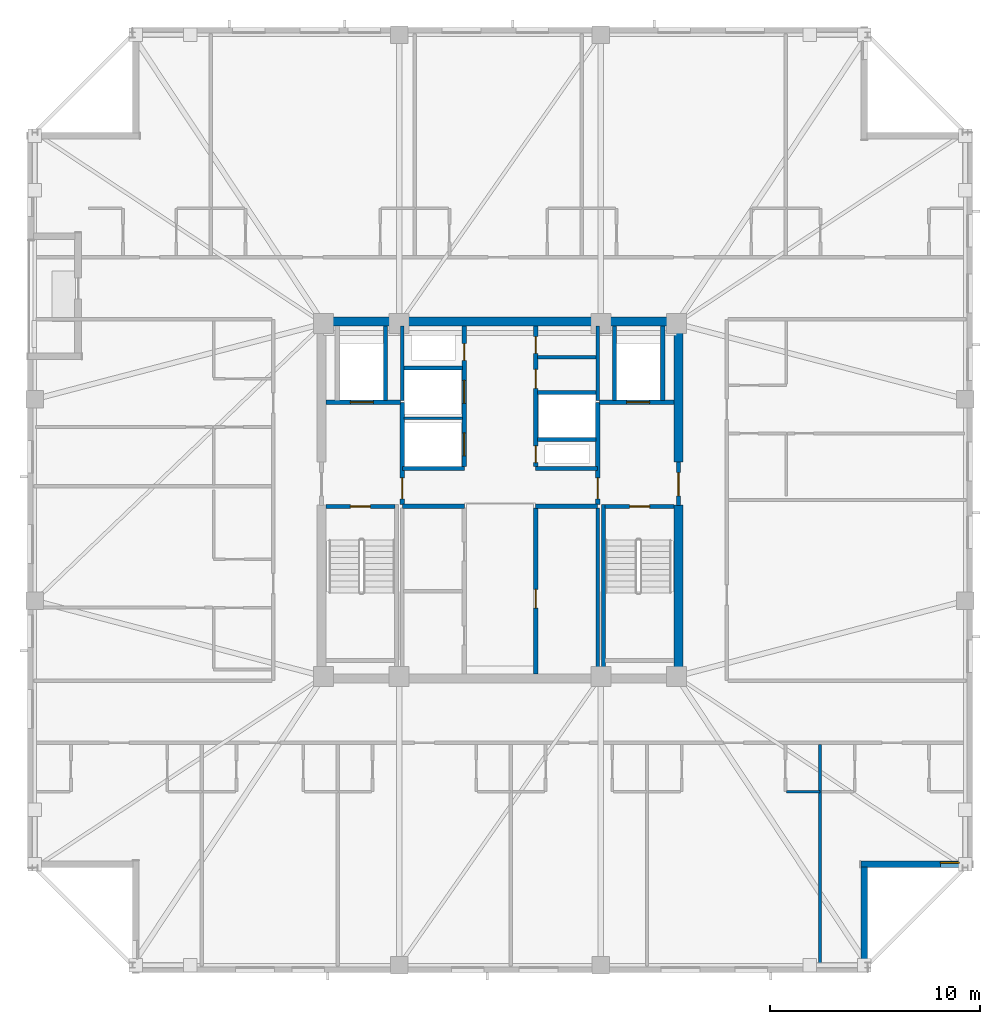
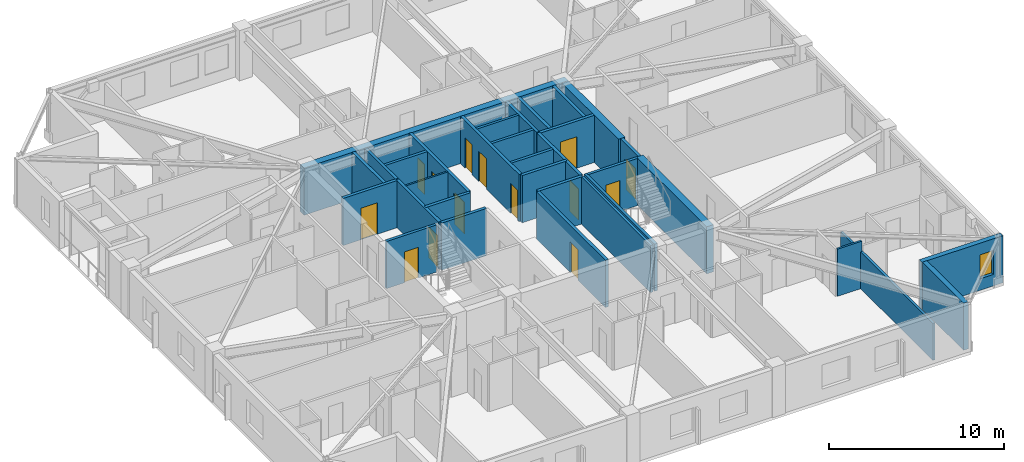
# One storey, part 9 of 17: 33 walls, 14 doors, 1 window, 15 openings.
"""IFC4 building model written with IfcOpenShell, lengths in metres."""

from ifc_helpers import new_model, si_unit, direction, frame, frame_2d, origin, place, context, subcontext, project, spatial, rectangle, extrude, material, layer, layer_set, type_object, element, fill, save


model = new_model("IFC4")

# Units and contexts
model_context = context("Model", 3, precision=1e-05, world=origin(), true_north=direction((0.0, 1.0)))
body_context = subcontext(model_context, "Body", "Model", "MODEL_VIEW")
ifc_project = project(units=[si_unit("LENGTHUNIT", "METRE"), si_unit("AREAUNIT", "SQUARE_METRE"), si_unit("VOLUMEUNIT", "CUBIC_METRE"), si_unit("PLANEANGLEUNIT", "RADIAN"), si_unit("MASSUNIT", "GRAM", prefix="KILO")], contexts=[model_context])

# Site, building, storey
site_placement = place(None, origin())
site = spatial("IfcSite", under=ifc_project, at=site_placement, CompositionType="ELEMENT")
building_placement = place(site_placement, origin())
building = spatial("IfcBuilding", under=site, at=building_placement, Name="Cairnveth Concourse Tower", CompositionType="ELEMENT")
storey_placement = place(building_placement, frame((0.0, 0.0, 234.0)))
storey = spatial("IfcBuildingStorey", under=building, at=storey_placement, Name="L64", CompositionType="ELEMENT", Elevation=234.0)

# Walls
ifc_material_1 = material(Name="Gypsum Plasterboard Partition", Category="gypsum")
ifc_layer_1 = layer(ifc_material_1, 0.159912109375)
ifc_layer_set_1 = layer_set([ifc_layer_1], Name="Gypsum Plasterboard Partition")
wall_type_1 = type_object("IfcWallType", Name="ACOUSTIC PARTY WALL 180", PredefinedType="PARTITIONING", material=ifc_layer_set_1)
wall_1_placement = place(storey_placement, frame((56.64990234375, 30.7099609375, 0.0), z_axis=(0.0, 0.0, 1.0), x_axis=(0.0, 1.0, 0.0)))
element("IfcWall", 1, at=wall_1_placement, inside=storey, type_object=wall_type_1, Name="Interior Wall IW-L64-027", PredefinedType="PARTITIONING", context=body_context, shape_type="SweptSolid", body=[
    extrude(rectangle(XDim=7.905029296875, YDim=0.159912109375, at=frame_2d((3.95263671875, 0.0))), origin(), (0.0, 0.0, 1.0), 3.2900390625),
])
wall_2_placement = place(storey_placement, frame((53.784912109375, 45.800048828125, 0.0), z_axis=(0.0, 0.0, 1.0), x_axis=(1.0, 0.0, 0.0)))
element("IfcWall", 2, at=wall_2_placement, inside=storey, type_object=wall_type_1, Name="Interior Wall IW-L64-034", PredefinedType="PARTITIONING", context=body_context, shape_type="SweptSolid", body=[
    extrude(rectangle(XDim=2.7900390625, YDim=0.159912109375, at=frame_2d((1.39501953125, 0.0))), origin(), (0.0, 0.0, 1.0), 3.2900390625),
])
wall_3_placement = place(storey_placement, frame((67.239990234375, 16.804931640625, 0.0), z_axis=(0.0, 0.0, 1.0), x_axis=(0.0, 1.0, 0.0)))
element("IfcWall", 3, at=wall_3_placement, inside=storey, type_object=wall_type_1, Name="Interior Wall IW-L64-067", PredefinedType="PARTITIONING", context=body_context, shape_type="SweptSolid", body=[
    extrude(rectangle(XDim=10.5576171875, YDim=0.159912109375, at=frame_2d((5.27880859375, 0.0))), origin(), (0.0, 0.0, 1.0), 2.572998046875),
])
ifc_material_2 = material(Name="Concrete N65 (65 MPa)", Category="concrete")
ifc_layer_2 = layer(ifc_material_2, 0.449951171875)
ifc_layer_set_2 = layer_set([ifc_layer_2], Name="Concrete N65 (65 MPa)")
wall_type_2 = type_object("IfcWallType", Name="CORE SHEAR WALL 450", PredefinedType="SHEAR", material=ifc_layer_set_2)
wall_4_placement = place(storey_placement, frame((43.27490234375, 47.5, 0.0), z_axis=(0.0, 0.0, 1.0), x_axis=(1.0, 0.0, 0.0)))
element("IfcWall", 4, at=wall_4_placement, inside=storey, type_object=wall_type_2, Name="Core North Shear Wall L64", PredefinedType="SHEAR", context=body_context, shape_type="SweptSolid", body=[
    extrude(rectangle(XDim=17.4501953125, YDim=0.449951171875, at=frame_2d((8.72509765625, 0.0))), origin(), (0.0, 0.0, 1.0), 3.2900390625),
])
wall_5_placement = place(storey_placement, frame((60.5, 30.715087890625, 0.0), z_axis=(0.0, 0.0, 1.0), x_axis=(0.0, 1.0, 0.0)))
element("IfcWall", 5, at=wall_5_placement, inside=storey, type_object=wall_type_2, Name="Core East Shear Wall S L64", PredefinedType="SHEAR", context=body_context, shape_type="SweptSolid", body=[
    extrude(rectangle(XDim=8.034912109375, YDim=0.449951171875, at=frame_2d((4.017578125, 0.0))), origin(), (0.0, 0.0, 1.0), 3.2900390625),
])
wall_6_placement = place(storey_placement, frame((60.5, 40.800048828125, 0.0), z_axis=(0.0, 0.0, 1.0), x_axis=(0.0, 1.0, 0.0)))
element("IfcWall", 6, at=wall_6_placement, inside=storey, type_object=wall_type_2, Name="Core East Shear Wall N L64", PredefinedType="SHEAR", context=body_context, shape_type="SweptSolid", body=[
    extrude(rectangle(XDim=6.48486328125, YDim=0.449951171875, at=frame_2d((3.242431640625, 0.0))), origin(), (0.0, 0.0, 1.0), 3.2900390625),
])
ifc_material_3 = material(Name="Concrete N50 (50 MPa)", Category="concrete")
ifc_layer_3 = layer(ifc_material_3, 0.179931640625)
ifc_layer_set_3 = layer_set([ifc_layer_3], Name="Concrete N50 (50 MPa)")
wall_type_3 = type_object("IfcWallType", Name="FIRE SHAFT WALL 180", PredefinedType="SOLIDWALL", material=ifc_layer_set_3)
wall_7_placement = place(storey_placement, frame((47.35009765625, 43.735107421875, 0.0), z_axis=(0.0, 0.0, 1.0), x_axis=(0.0, 1.0, 0.0)))
element("IfcWall", 7, at=wall_7_placement, inside=storey, type_object=wall_type_3, Name="Interior Wall IW-L64-028", PredefinedType="SOLIDWALL", context=body_context, shape_type="SweptSolid", body=[
    extrude(rectangle(XDim=3.554931640625, YDim=0.179931640625, at=frame_2d((1.77734375, 0.0))), origin(), (0.0, 0.0, 1.0), 3.2900390625),
])
wall_8_placement = place(storey_placement, frame((47.425048828125, 45.280029296875, 0.0), z_axis=(0.0, 0.0, 1.0), x_axis=(1.0, 0.0, 0.0)))
element("IfcWall", 8, at=wall_8_placement, inside=storey, type_object=wall_type_3, Name="Interior Wall IW-L64-030", PredefinedType="SOLIDWALL", context=body_context, shape_type="SweptSolid", body=[
    extrude(rectangle(XDim=2.7900390625, YDim=0.179931640625, at=frame_2d((1.39501953125, 0.0))), origin(), (0.0, 0.0, 1.0), 3.2900390625),
])
wall_9_placement = place(storey_placement, frame((56.64990234375, 43.735107421875, 0.0), z_axis=(0.0, 0.0, 1.0), x_axis=(0.0, 1.0, 0.0)))
element("IfcWall", 9, at=wall_9_placement, inside=storey, type_object=wall_type_3, Name="Interior Wall IW-L64-031", PredefinedType="SOLIDWALL", context=body_context, shape_type="SweptSolid", body=[
    extrude(rectangle(XDim=3.554931640625, YDim=0.179931640625, at=frame_2d((1.77734375, 0.0))), origin(), (0.0, 0.0, 1.0), 3.2900390625),
])
wall_10_placement = place(storey_placement, frame((53.784912109375, 41.8798828125, 0.0), z_axis=(0.0, 0.0, 1.0), x_axis=(1.0, 0.0, 0.0)))
element("IfcWall", 10, at=wall_10_placement, inside=storey, type_object=wall_type_3, Name="Interior Wall IW-L64-032", PredefinedType="SOLIDWALL", context=body_context, shape_type="SweptSolid", body=[
    extrude(rectangle(XDim=2.780029296875, YDim=0.179931640625, at=frame_2d((1.39013671875, 0.0))), origin(), (0.0, 0.0, 1.0), 3.2900390625),
])
wall_11_placement = place(storey_placement, frame((53.784912109375, 44.1201171875, 0.0), z_axis=(0.0, 0.0, 1.0), x_axis=(1.0, 0.0, 0.0)))
element("IfcWall", 11, at=wall_11_placement, inside=storey, type_object=wall_type_3, Name="Interior Wall IW-L64-033", PredefinedType="SOLIDWALL", context=body_context, shape_type="SweptSolid", body=[
    extrude(rectangle(XDim=2.7900390625, YDim=0.179931640625, at=frame_2d((1.39501953125, 0.0))), origin(), (0.0, 0.0, 1.0), 3.2900390625),
])

# Wall, opening, door
wall_12_placement = place(storey_placement, frame((43.715087890625, 38.68994140625, 0.0), z_axis=(0.0, 0.0, 1.0), x_axis=(1.0, 0.0, 0.0)))
wall_12 = element("IfcWall", 12, at=wall_12_placement, inside=storey, type_object=wall_type_3, Name="Stair ST-1 Shaft Wall NEAR L64", PredefinedType="SOLIDWALL", context=body_context, shape_type="SweptSolid", body=[
    extrude(rectangle(XDim=3.280029296875, YDim=0.179931640625, at=frame_2d((1.64013671875, 0.0))), origin(), (0.0, 0.0, 1.0), 3.2900390625),
])
opening_1_placement = place(wall_12_placement, frame((1.1650390625, 0.0, 0.0)))
opening_1 = element("IfcOpeningElement", 13, at=opening_1_placement, cuts=wall_12, Name="Opening ID12", PredefinedType="OPENING", context=body_context, shape_type="SweptSolid", body=[
    extrude(rectangle(XDim=0.949951171875, YDim=2.14990234375, at=frame_2d((0.47509765625, 1.074951171875))), frame((0.0, 0.099853515625, 0.0), z_axis=(0.0, -1.0, 0.0), x_axis=(1.0, 0.0, 0.0)), (0.0, 0.0, 1.0), 0.199951171875),
])
ifc_material_4 = material(Name="Steel Grade 350", Category="steel")
door_type_1 = type_object("IfcDoorType", Name="FIRE STAIR DOOR 950X2150", OperationType="NOTDEFINED", PredefinedType="DOOR", material=ifc_material_4)
door_1_placement = place(opening_1_placement, origin())
door_1 = element("IfcDoor", 14, at=door_1_placement, inside=storey, type_object=door_type_1, Name="Stair ST-1 Fire Door L64", OperationType="SINGLE_SWING_LEFT", OverallHeight=2.14990234375, OverallWidth=0.949951171875, PredefinedType="DOOR", context=body_context, shape_type="SweptSolid", body=[
    extrude(rectangle(XDim=0.949951171875, YDim=2.14990234375, at=frame_2d((0.47509765625, 1.074951171875))), frame((0.0, 0.02490234375, 0.0), z_axis=(0.0, -1.0, 0.0), x_axis=(1.0, 0.0, 0.0)), (0.0, 0.0, 1.0), 0.050048828125),
])
fill(opening_1, door_1)

wall_13_placement = place(storey_placement, frame((57.0048828125, 38.68994140625, 0.0), z_axis=(0.0, 0.0, 1.0), x_axis=(1.0, 0.0, 0.0)))
wall_13 = element("IfcWall", 15, at=wall_13_placement, inside=storey, type_object=wall_type_3, Name="Stair ST-2 Shaft Wall NEAR L64", PredefinedType="SOLIDWALL", context=body_context, shape_type="SweptSolid", body=[
    extrude(rectangle(XDim=3.280029296875, YDim=0.179931640625, at=frame_2d((1.64013671875, 0.0))), origin(), (0.0, 0.0, 1.0), 3.2900390625),
])
opening_2_placement = place(wall_13_placement, frame((1.1650390625, 0.0, 0.0)))
opening_2 = element("IfcOpeningElement", 16, at=opening_2_placement, cuts=wall_13, Name="Opening ID12", PredefinedType="OPENING", context=body_context, shape_type="SweptSolid", body=[
    extrude(rectangle(XDim=0.949951171875, YDim=2.14990234375, at=frame_2d((0.47509765625, 1.074951171875))), frame((0.0, 0.099853515625, 0.0), z_axis=(0.0, -1.0, 0.0), x_axis=(1.0, 0.0, 0.0)), (0.0, 0.0, 1.0), 0.199951171875),
])
door_2_placement = place(opening_2_placement, origin())
door_2 = element("IfcDoor", 17, at=door_2_placement, inside=storey, type_object=door_type_1, Name="Stair ST-2 Fire Door L64", OperationType="SINGLE_SWING_RIGHT", OverallHeight=2.14990234375, OverallWidth=0.949951171875, PredefinedType="DOOR", context=body_context, shape_type="SweptSolid", body=[
    extrude(rectangle(XDim=0.949951171875, YDim=2.14990234375, at=frame_2d((0.47509765625, 1.074951171875))), frame((0.0, 0.02490234375, 0.0), z_axis=(0.0, -1.0, 0.0), x_axis=(1.0, 0.0, 0.0)), (0.0, 0.0, 1.0), 0.050048828125),
])
fill(opening_2, door_2)

# Walls
wall_14_placement = place(storey_placement, frame((56.929931640625, 38.780029296875, 0.0), z_axis=(0.0, 0.0, 1.0), x_axis=(0.0, -1.0, 0.0)))
element("IfcWall", 18, at=wall_14_placement, inside=storey, type_object=wall_type_3, Name="Stair ST-2 Shaft Wall LEFT L64", PredefinedType="SOLIDWALL", context=body_context, shape_type="SweptSolid", body=[
    extrude(rectangle(XDim=8.067138671875, YDim=0.179931640625, at=frame_2d((4.03369140625, 0.0))), origin(), (0.0, 0.0, 1.0), 3.2900390625),
])
ifc_layer_4 = layer(ifc_material_3, 0.199951171875)
ifc_layer_set_4 = layer_set([ifc_layer_4], Name="Concrete N50 (50 MPa)")
wall_type_4 = type_object("IfcWallType", Name="FIRE SHAFT WALL 200", PredefinedType="SOLIDWALL", material=ifc_layer_set_4)
for number, where, z_axis, x_axis, name in (
    (19, (47.35009765625, 38.699951171875, 0.0), (0.0, 0.0, 1.0), (1.0, 0.0, 0.0), "Interior Wall IW-L64-007"),
    (20, (47.35009765625, 40.5, 0.0), (0.0, 0.0, 1.0), (1.0, 0.0, 0.0), "Interior Wall IW-L64-008"),
    (21, (53.699951171875, 38.699951171875, 0.0), (0.0, 0.0, 1.0), (1.0, 0.0, 0.0), "Interior Wall IW-L64-009"),
    (22, (53.699951171875, 40.5, 0.0), (0.0, 0.0, 1.0), (1.0, 0.0, 0.0), "Interior Wall IW-L64-010"),
):
    element("IfcWall", number, at=place(storey_placement, frame(where, z_axis=z_axis, x_axis=x_axis)), inside=storey, type_object=wall_type_4, Name=name, PredefinedType="SOLIDWALL", context=body_context, shape_type="SweptSolid", body=[
        extrude(rectangle(XDim=2.949951171875, YDim=0.199951171875, at=frame_2d((1.47509765625, 0.0))), origin(), (0.0, 0.0, 1.0), 3.2900390625),
    ])

# Wall, opening, door
wall_15_placement = place(storey_placement, frame((53.699951171875, 30.7099609375, 0.0), z_axis=(0.0, 0.0, 1.0), x_axis=(0.0, 1.0, 0.0)))
wall_15 = element("IfcWall", 23, at=wall_15_placement, inside=storey, type_object=wall_type_4, Name="Interior Wall IW-L64-012", PredefinedType="SOLIDWALL", context=body_context, shape_type="SweptSolid", body=[
    extrude(rectangle(XDim=7.905029296875, YDim=0.199951171875, at=frame_2d((3.95263671875, 0.0))), origin(), (0.0, 0.0, 1.0), 3.2900390625),
])
opening_3_placement = place(wall_15_placement, frame((3.139892578125, 0.0, 0.0)))
opening_3 = element("IfcOpeningElement", 24, at=opening_3_placement, cuts=wall_15, Name="Opening ID16", PredefinedType="OPENING", context=body_context, shape_type="SweptSolid", body=[
    extrude(rectangle(XDim=0.89990234375, YDim=2.1201171875, at=frame_2d((0.449951171875, 1.06005859375))), frame((0.0, 0.10986328125, 0.0), z_axis=(0.0, -1.0, 0.0), x_axis=(1.0, 0.0, 0.0)), (0.0, 0.0, 1.0), 0.219970703125),
])
door_type_2 = type_object("IfcDoorType", Name="CORE SERVICE DOOR 900X2100", OperationType="NOTDEFINED", PredefinedType="DOOR", material=ifc_material_4)
door_3_placement = place(opening_3_placement, origin())
door_3 = element("IfcDoor", 25, at=door_3_placement, inside=storey, type_object=door_type_2, Name="Sky Pantry Door L64", OperationType="SINGLE_SWING_LEFT", OverallHeight=2.1201171875, OverallWidth=0.89990234375, PredefinedType="DOOR", context=body_context, shape_type="SweptSolid", body=[
    extrude(rectangle(XDim=0.89990234375, YDim=2.1201171875, at=frame_2d((0.449951171875, 1.06005859375))), frame((0.0, 0.02490234375, 0.0), z_axis=(0.0, -1.0, 0.0), x_axis=(1.0, 0.0, 0.0)), (0.0, 0.0, 1.0), 0.050048828125),
])
fill(opening_3, door_3)

# Wall, openings, doors
wall_16_placement = place(storey_placement, frame((50.300048828125, 40.5849609375, 0.0), z_axis=(0.0, 0.0, 1.0), x_axis=(0.0, 1.0, 0.0)))
wall_16 = element("IfcWall", 26, at=wall_16_placement, inside=storey, type_object=wall_type_4, Name="Interior Wall IW-L64-013", PredefinedType="SOLIDWALL", context=body_context, shape_type="SweptSolid", body=[
    extrude(rectangle(XDim=6.705078125, YDim=0.199951171875, at=frame_2d((3.3525390625, 0.0))), origin(), (0.0, 0.0, 1.0), 3.2900390625),
])
opening_4_placement = place(wall_16_placement, frame((0.514892578125, 0.0, 0.0)))
opening_4 = element("IfcOpeningElement", 27, at=opening_4_placement, cuts=wall_16, Name="Opening LD-1", PredefinedType="OPENING", context=body_context, shape_type="SweptSolid", body=[
    extrude(rectangle(XDim=1.10009765625, YDim=2.199951171875, at=frame_2d((0.550048828125, 1.10009765625))), frame((0.0, 0.10986328125, 0.0), z_axis=(0.0, -1.0, 0.0), x_axis=(1.0, 0.0, 0.0)), (0.0, 0.0, 1.0), 0.219970703125),
])
opening_5_placement = place(wall_16_placement, frame((3.014892578125, 0.0, 0.0)))
opening_5 = element("IfcOpeningElement", 28, at=opening_5_placement, cuts=wall_16, Name="Opening LD-1", PredefinedType="OPENING", context=body_context, shape_type="SweptSolid", body=[
    extrude(rectangle(XDim=1.10009765625, YDim=2.199951171875, at=frame_2d((0.550048828125, 1.10009765625))), frame((0.0, 0.10986328125, 0.0), z_axis=(0.0, -1.0, 0.0), x_axis=(1.0, 0.0, 0.0)), (0.0, 0.0, 1.0), 0.219970703125),
])
opening_6_placement = place(wall_16_placement, frame((5.06494140625, 0.0, 0.0)))
opening_6 = element("IfcOpeningElement", 29, at=opening_6_placement, cuts=wall_16, Name="Opening ID24", PredefinedType="OPENING", context=body_context, shape_type="SweptSolid", body=[
    extrude(rectangle(XDim=0.800048828125, YDim=2.080078125, at=frame_2d((0.39990234375, 1.0400390625))), frame((0.0, 0.10986328125, 0.0), z_axis=(0.0, -1.0, 0.0), x_axis=(1.0, 0.0, 0.0)), (0.0, 0.0, 1.0), 0.219970703125),
])
ifc_material_5 = material(Name="Architectural Bronze Anodised Aluminium 6063-T6", Category="aluminium")
door_type_3 = type_object("IfcDoorType", Name="LIFT LANDING DOOR 1100X2200", OperationType="SLIDING_TO_LEFT", PredefinedType="DOOR", material=ifc_material_5)
door_4_placement = place(opening_4_placement, origin())
door_4 = element("IfcDoor", 30, at=door_4_placement, inside=storey, type_object=door_type_3, Name="Lift PL7 Landing Door L64", OperationType="SLIDING_TO_LEFT", OverallHeight=2.199951171875, OverallWidth=1.10009765625, PredefinedType="DOOR", context=body_context, shape_type="SweptSolid", body=[
    extrude(rectangle(XDim=1.10009765625, YDim=2.199951171875, at=frame_2d((0.550048828125, 1.10009765625))), frame((0.0, 0.02490234375, 0.0), z_axis=(0.0, -1.0, 0.0), x_axis=(1.0, 0.0, 0.0)), (0.0, 0.0, 1.0), 0.050048828125),
])
fill(opening_4, door_4)
door_5_placement = place(opening_5_placement, origin())
door_5 = element("IfcDoor", 31, at=door_5_placement, inside=storey, type_object=door_type_3, Name="Lift PL8 Landing Door L64", OperationType="SLIDING_TO_LEFT", OverallHeight=2.199951171875, OverallWidth=1.10009765625, PredefinedType="DOOR", context=body_context, shape_type="SweptSolid", body=[
    extrude(rectangle(XDim=1.10009765625, YDim=2.199951171875, at=frame_2d((0.550048828125, 1.10009765625))), frame((0.0, 0.02490234375, 0.0), z_axis=(0.0, -1.0, 0.0), x_axis=(1.0, 0.0, 0.0)), (0.0, 0.0, 1.0), 0.050048828125),
])
fill(opening_5, door_5)
door_type_4 = type_object("IfcDoorType", Name="RISER ACCESS DOOR 800X2100", OperationType="NOTDEFINED", PredefinedType="DOOR", material=ifc_material_4)
door_6_placement = place(opening_6_placement, origin())
door_6 = element("IfcDoor", 32, at=door_6_placement, inside=storey, type_object=door_type_4, Name="NW Electrical Riser Access Door L64", OperationType="SINGLE_SWING_RIGHT", OverallHeight=2.080078125, OverallWidth=0.800048828125, PredefinedType="DOOR", context=body_context, shape_type="SweptSolid", body=[
    extrude(rectangle(XDim=0.800048828125, YDim=2.080078125, at=frame_2d((0.39990234375, 1.0400390625))), frame((0.0, 0.02490234375, 0.0), z_axis=(0.0, -1.0, 0.0), x_axis=(1.0, 0.0, 0.0)), (0.0, 0.0, 1.0), 0.050048828125),
])
fill(opening_6, door_6)

wall_17_placement = place(storey_placement, frame((53.699951171875, 40.5849609375, 0.0), z_axis=(0.0, 0.0, 1.0), x_axis=(0.0, 1.0, 0.0)))
wall_17 = element("IfcWall", 33, at=wall_17_placement, inside=storey, type_object=wall_type_4, Name="Interior Wall IW-L64-014", PredefinedType="SOLIDWALL", context=body_context, shape_type="SweptSolid", body=[
    extrude(rectangle(XDim=6.705078125, YDim=0.199951171875, at=frame_2d((3.3525390625, 0.0))), origin(), (0.0, 0.0, 1.0), 3.2900390625),
])
opening_7_placement = place(wall_17_placement, frame((0.195068359375, 0.0, 0.0)))
opening_7 = element("IfcOpeningElement", 34, at=opening_7_placement, cuts=wall_17, Name="Opening ID24", PredefinedType="OPENING", context=body_context, shape_type="SweptSolid", body=[
    extrude(rectangle(XDim=0.800048828125, YDim=2.080078125, at=frame_2d((0.39990234375, 1.0400390625))), frame((0.0, 0.10986328125, 0.0), z_axis=(0.0, -1.0, 0.0), x_axis=(1.0, 0.0, 0.0)), (0.0, 0.0, 1.0), 0.219970703125),
])
opening_8_placement = place(wall_17_placement, frame((3.735107421875, 0.0, 0.0)))
opening_8 = element("IfcOpeningElement", 35, at=opening_8_placement, cuts=wall_17, Name="Opening ID26", PredefinedType="OPENING", context=body_context, shape_type="SweptSolid", body=[
    extrude(rectangle(XDim=0.89990234375, YDim=2.1201171875, at=frame_2d((0.449951171875, 1.06005859375))), frame((0.0, 0.10986328125, 0.0), z_axis=(0.0, -1.0, 0.0), x_axis=(1.0, 0.0, 0.0)), (0.0, 0.0, 1.0), 0.219970703125),
])
opening_9_placement = place(wall_17_placement, frame((5.39501953125, 0.0, 0.0)))
opening_9 = element("IfcOpeningElement", 36, at=opening_9_placement, cuts=wall_17, Name="Opening ID23", PredefinedType="OPENING", context=body_context, shape_type="SweptSolid", body=[
    extrude(rectangle(XDim=0.800048828125, YDim=2.10009765625, at=frame_2d((0.39990234375, 1.050048828125))), frame((0.0, 0.10986328125, 0.0), z_axis=(0.0, -1.0, 0.0), x_axis=(1.0, 0.0, 0.0)), (0.0, 0.0, 1.0), 0.219970703125),
])
door_type_5 = type_object("IfcDoorType", Name="CORE SERVICE DOOR 800X2100", OperationType="NOTDEFINED", PredefinedType="DOOR", material=ifc_material_4)
door_7_placement = place(opening_9_placement, origin())
door_7 = element("IfcDoor", 37, at=door_7_placement, inside=storey, type_object=door_type_5, Name="Core NE Cleaners Door L64", OperationType="SINGLE_SWING_LEFT", OverallHeight=2.10009765625, OverallWidth=0.800048828125, PredefinedType="DOOR", context=body_context, shape_type="SweptSolid", body=[
    extrude(rectangle(XDim=0.800048828125, YDim=2.10009765625, at=frame_2d((0.39990234375, 1.050048828125))), frame((0.0, 0.02490234375, 0.0), z_axis=(0.0, -1.0, 0.0), x_axis=(1.0, 0.0, 0.0)), (0.0, 0.0, 1.0), 0.050048828125),
])
fill(opening_9, door_7)
door_type_6 = type_object("IfcDoorType", Name="CORE TOILET FIRE DOOR 900X2120", OperationType="NOTDEFINED", PredefinedType="DOOR", material=ifc_material_4)
door_8_placement = place(opening_8_placement, origin())
door_8 = element("IfcDoor", 38, at=door_8_placement, inside=storey, type_object=door_type_6, Name="Core NE Unisex WC Door L64", OperationType="SINGLE_SWING_RIGHT", OverallHeight=2.1201171875, OverallWidth=0.89990234375, PredefinedType="DOOR", context=body_context, shape_type="SweptSolid", body=[
    extrude(rectangle(XDim=0.89990234375, YDim=2.1201171875, at=frame_2d((0.449951171875, 1.06005859375))), frame((0.0, 0.02490234375, 0.0), z_axis=(0.0, -1.0, 0.0), x_axis=(1.0, 0.0, 0.0)), (0.0, 0.0, 1.0), 0.050048828125),
])
fill(opening_8, door_8)
door_9_placement = place(opening_7_placement, origin())
door_9 = element("IfcDoor", 39, at=door_9_placement, inside=storey, type_object=door_type_4, Name="Hydraulic Riser Door L64", OperationType="SINGLE_SWING_LEFT", OverallHeight=2.080078125, OverallWidth=0.800048828125, PredefinedType="DOOR", context=body_context, shape_type="SweptSolid", body=[
    extrude(rectangle(XDim=0.800048828125, YDim=2.080078125, at=frame_2d((0.39990234375, 1.0400390625))), frame((0.0, 0.02490234375, 0.0), z_axis=(0.0, -1.0, 0.0), x_axis=(1.0, 0.0, 0.0)), (0.0, 0.0, 1.0), 0.050048828125),
])
fill(opening_7, door_9)

# Wall, opening, door
wall_18_placement = place(storey_placement, frame((47.35009765625, 38.784912109375, 0.0), z_axis=(0.0, 0.0, 1.0), x_axis=(0.0, 1.0, 0.0)))
wall_18 = element("IfcWall", 40, at=wall_18_placement, inside=storey, type_object=wall_type_4, Name="Interior Wall IW-L64-016", PredefinedType="SOLIDWALL", context=body_context, shape_type="SweptSolid", body=[
    extrude(rectangle(XDim=4.864990234375, YDim=0.199951171875, at=frame_2d((2.4326171875, 0.0))), origin(), (0.0, 0.0, 1.0), 3.2900390625),
])
opening_10_placement = place(wall_18_placement, frame((0.264892578125, 0.0, 0.0)))
opening_10 = element("IfcOpeningElement", 41, at=opening_10_placement, cuts=wall_18, Name="Opening ID07", PredefinedType="OPENING", context=body_context, shape_type="SweptSolid", body=[
    extrude(rectangle(XDim=1.0, YDim=2.14990234375, at=frame_2d((0.5, 1.074951171875))), frame((0.0, 0.10986328125, 0.0), z_axis=(0.0, -1.0, 0.0), x_axis=(1.0, 0.0, 0.0)), (0.0, 0.0, 1.0), 0.219970703125),
])
door_type_7 = type_object("IfcDoorType", Name="FIRE CORRIDOR DOOR 1000X2150", OperationType="NOTDEFINED", PredefinedType="DOOR", material=ifc_material_4)
door_10_placement = place(opening_10_placement, origin())
door_10 = element("IfcDoor", 42, at=door_10_placement, inside=storey, type_object=door_type_7, Name="FF Lobby West to Lift Lobby Door L64", OperationType="SINGLE_SWING_RIGHT", OverallHeight=2.14990234375, OverallWidth=1.0, PredefinedType="DOOR", context=body_context, shape_type="SweptSolid", body=[
    extrude(rectangle(XDim=1.0, YDim=2.14990234375, at=frame_2d((0.5, 1.074951171875))), frame((0.0, 0.02490234375, 0.0), z_axis=(0.0, -1.0, 0.0), x_axis=(1.0, 0.0, 0.0)), (0.0, 0.0, 1.0), 0.050048828125),
])
fill(opening_10, door_10)

wall_19_placement = place(storey_placement, frame((43.7099609375, 43.64990234375, 0.0), z_axis=(0.0, 0.0, 1.0), x_axis=(1.0, 0.0, 0.0)))
wall_19 = element("IfcWall", 43, at=wall_19_placement, inside=storey, type_object=wall_type_4, Name="Interior Wall IW-L64-017", PredefinedType="SOLIDWALL", context=body_context, shape_type="SweptSolid", body=[
    extrude(rectangle(XDim=3.554931640625, YDim=0.199951171875, at=frame_2d((1.77734375, 0.0))), origin(), (0.0, 0.0, 1.0), 3.2900390625),
])
opening_11_placement = place(wall_19_placement, frame((1.159912109375, 0.0, 0.0)))
opening_11 = element("IfcOpeningElement", 44, at=opening_11_placement, cuts=wall_19, Name="Opening LD-1", PredefinedType="OPENING", context=body_context, shape_type="SweptSolid", body=[
    extrude(rectangle(XDim=1.10009765625, YDim=2.199951171875, at=frame_2d((0.550048828125, 1.10009765625))), frame((0.0, 0.10986328125, 0.0), z_axis=(0.0, -1.0, 0.0), x_axis=(1.0, 0.0, 0.0)), (0.0, 0.0, 1.0), 0.219970703125),
])
door_11_placement = place(opening_11_placement, origin())
door_11 = element("IfcDoor", 45, at=door_11_placement, inside=storey, type_object=door_type_3, Name="Lift FFL1 Landing Door L64", OperationType="SLIDING_TO_LEFT", OverallHeight=2.199951171875, OverallWidth=1.10009765625, PredefinedType="DOOR", context=body_context, shape_type="SweptSolid", body=[
    extrude(rectangle(XDim=1.10009765625, YDim=2.199951171875, at=frame_2d((0.550048828125, 1.10009765625))), frame((0.0, 0.02490234375, 0.0), z_axis=(0.0, -1.0, 0.0), x_axis=(1.0, 0.0, 0.0)), (0.0, 0.0, 1.0), 0.050048828125),
])
fill(opening_11, door_11)

# Wall
wall_20_placement = place(storey_placement, frame((46.550048828125, 43.735107421875, 0.0), z_axis=(0.0, 0.0, 1.0), x_axis=(0.0, 1.0, 0.0)))
element("IfcWall", 46, at=wall_20_placement, inside=storey, type_object=wall_type_4, Name="Interior Wall IW-L64-018", PredefinedType="SOLIDWALL", context=body_context, shape_type="SweptSolid", body=[
    extrude(rectangle(XDim=3.554931640625, YDim=0.199951171875, at=frame_2d((1.77734375, 0.0))), origin(), (0.0, 0.0, 1.0), 3.2900390625),
])

# Wall, opening, door
wall_21_placement = place(storey_placement, frame((60.5, 38.75, 0.0), z_axis=(0.0, 0.0, 1.0), x_axis=(0.0, 1.0, 0.0)))
wall_21 = element("IfcWall", 47, at=wall_21_placement, inside=storey, type_object=wall_type_4, Name="Interior Wall IW-L64-020", PredefinedType="SOLIDWALL", context=body_context, shape_type="SweptSolid", body=[
    extrude(rectangle(XDim=2.050048828125, YDim=0.199951171875, at=frame_2d((1.02490234375, 0.0))), origin(), (0.0, 0.0, 1.0), 3.2900390625),
])
opening_12_placement = place(wall_21_placement, frame((0.449951171875, 0.0, 0.0)))
opening_12 = element("IfcOpeningElement", 48, at=opening_12_placement, cuts=wall_21, Name="Opening ID06", PredefinedType="OPENING", context=body_context, shape_type="SweptSolid", body=[
    extrude(rectangle(XDim=1.10009765625, YDim=2.14990234375, at=frame_2d((0.550048828125, 1.074951171875))), frame((0.0, 0.10986328125, 0.0), z_axis=(0.0, -1.0, 0.0), x_axis=(1.0, 0.0, 0.0)), (0.0, 0.0, 1.0), 0.219970703125),
])
door_type_8 = type_object("IfcDoorType", Name="FIRE CORRIDOR DOOR 1100X2150", OperationType="NOTDEFINED", PredefinedType="DOOR", material=ifc_material_4)
door_12_placement = place(opening_12_placement, origin())
door_12 = element("IfcDoor", 49, at=door_12_placement, inside=storey, type_object=door_type_8, Name="East Wing to FF Lobby Door L64", OperationType="SINGLE_SWING_RIGHT", OverallHeight=2.14990234375, OverallWidth=1.10009765625, PredefinedType="DOOR", context=body_context, shape_type="SweptSolid", body=[
    extrude(rectangle(XDim=1.10009765625, YDim=2.14990234375, at=frame_2d((0.550048828125, 1.074951171875))), frame((0.0, 0.02490234375, 0.0), z_axis=(0.0, -1.0, 0.0), x_axis=(1.0, 0.0, 0.0)), (0.0, 0.0, 1.0), 0.050048828125),
])
fill(opening_12, door_12)

wall_22_placement = place(storey_placement, frame((56.64990234375, 38.784912109375, 0.0), z_axis=(0.0, 0.0, 1.0), x_axis=(0.0, 1.0, 0.0)))
wall_22 = element("IfcWall", 50, at=wall_22_placement, inside=storey, type_object=wall_type_4, Name="Interior Wall IW-L64-021", PredefinedType="SOLIDWALL", context=body_context, shape_type="SweptSolid", body=[
    extrude(rectangle(XDim=4.864990234375, YDim=0.199951171875, at=frame_2d((2.4326171875, 0.0))), origin(), (0.0, 0.0, 1.0), 3.2900390625),
])
opening_13_placement = place(wall_22_placement, frame((0.264892578125, 0.0, 0.0)))
opening_13 = element("IfcOpeningElement", 51, at=opening_13_placement, cuts=wall_22, Name="Opening ID07", PredefinedType="OPENING", context=body_context, shape_type="SweptSolid", body=[
    extrude(rectangle(XDim=1.0, YDim=2.14990234375, at=frame_2d((0.5, 1.074951171875))), frame((0.0, 0.10986328125, 0.0), z_axis=(0.0, -1.0, 0.0), x_axis=(1.0, 0.0, 0.0)), (0.0, 0.0, 1.0), 0.219970703125),
])
door_13_placement = place(opening_13_placement, origin())
door_13 = element("IfcDoor", 52, at=door_13_placement, inside=storey, type_object=door_type_7, Name="FF Lobby East to Lift Lobby Door L64", OperationType="SINGLE_SWING_LEFT", OverallHeight=2.14990234375, OverallWidth=1.0, PredefinedType="DOOR", context=body_context, shape_type="SweptSolid", body=[
    extrude(rectangle(XDim=1.0, YDim=2.14990234375, at=frame_2d((0.5, 1.074951171875))), frame((0.0, 0.02490234375, 0.0), z_axis=(0.0, -1.0, 0.0), x_axis=(1.0, 0.0, 0.0)), (0.0, 0.0, 1.0), 0.050048828125),
])
fill(opening_13, door_13)

wall_23_placement = place(storey_placement, frame((56.735107421875, 43.64990234375, 0.0), z_axis=(0.0, 0.0, 1.0), x_axis=(1.0, 0.0, 0.0)))
wall_23 = element("IfcWall", 53, at=wall_23_placement, inside=storey, type_object=wall_type_4, Name="Interior Wall IW-L64-022", PredefinedType="SOLIDWALL", context=body_context, shape_type="SweptSolid", body=[
    extrude(rectangle(XDim=3.554931640625, YDim=0.199951171875, at=frame_2d((1.77734375, 0.0))), origin(), (0.0, 0.0, 1.0), 3.2900390625),
])
opening_14_placement = place(wall_23_placement, frame((1.294921875, 0.0, 0.0)))
opening_14 = element("IfcOpeningElement", 54, at=opening_14_placement, cuts=wall_23, Name="Opening LD-1", PredefinedType="OPENING", context=body_context, shape_type="SweptSolid", body=[
    extrude(rectangle(XDim=1.10009765625, YDim=2.199951171875, at=frame_2d((0.550048828125, 1.10009765625))), frame((0.0, 0.10986328125, 0.0), z_axis=(0.0, -1.0, 0.0), x_axis=(1.0, 0.0, 0.0)), (0.0, 0.0, 1.0), 0.219970703125),
])
door_14_placement = place(opening_14_placement, origin())
door_14 = element("IfcDoor", 55, at=door_14_placement, inside=storey, type_object=door_type_3, Name="Lift FFL2 Landing Door L64", OperationType="SLIDING_TO_LEFT", OverallHeight=2.199951171875, OverallWidth=1.10009765625, PredefinedType="DOOR", context=body_context, shape_type="SweptSolid", body=[
    extrude(rectangle(XDim=1.10009765625, YDim=2.199951171875, at=frame_2d((0.550048828125, 1.10009765625))), frame((0.0, 0.02490234375, 0.0), z_axis=(0.0, -1.0, 0.0), x_axis=(1.0, 0.0, 0.0)), (0.0, 0.0, 1.0), 0.050048828125),
])
fill(opening_14, door_14)

# Walls
for number, where, z_axis, x_axis, name in (
    (56, (57.449951171875, 43.735107421875, 0.0), (0.0, 0.0, 1.0), (0.0, 1.0, 0.0), "Interior Wall IW-L64-023"),
    (57, (59.75, 43.735107421875, 0.0), (0.0, 0.0, 1.0), (0.0, 1.0, 0.0), "Interior Wall IW-L64-024"),
):
    element("IfcWall", number, at=place(storey_placement, frame(where, z_axis=z_axis, x_axis=x_axis)), inside=storey, type_object=wall_type_4, Name=name, PredefinedType="SOLIDWALL", context=body_context, shape_type="SweptSolid", body=[
        extrude(rectangle(XDim=3.554931640625, YDim=0.199951171875, at=frame_2d((1.77734375, 0.0))), origin(), (0.0, 0.0, 1.0), 3.2900390625),
    ])
ifc_layer_5 = layer(ifc_material_1, 0.110107421875)
ifc_layer_set_5 = layer_set([ifc_layer_5], Name="Gypsum Plasterboard Partition")
wall_type_5 = type_object("IfcWallType", Name="SHAFT DIVIDER WALL 140", PredefinedType="PARTITIONING", material=ifc_layer_set_5)
wall_24_placement = place(storey_placement, frame((47.43505859375, 42.89990234375, 0.0), z_axis=(0.0, 0.0, 1.0), x_axis=(1.0, 0.0, 0.0)))
element("IfcWall", 58, at=wall_24_placement, inside=storey, type_object=wall_type_5, Name="Interior Wall IW-L64-029", PredefinedType="PARTITIONING", context=body_context, shape_type="SweptSolid", body=[
    extrude(rectangle(XDim=2.780029296875, YDim=0.110107421875, at=frame_2d((1.39013671875, 0.0))), origin(), (0.0, 0.0, 1.0), 3.2900390625),
])
ifc_layer_6 = layer(ifc_material_1, 0.1298828125)
ifc_layer_set_6 = layer_set([ifc_layer_6], Name="Gypsum Plasterboard Partition")
wall_type_6 = type_object("IfcWallType", Name="WET AREA PARTITION 140", PredefinedType="PLUMBINGWALL", material=ifc_layer_set_6)
wall_25_placement = place(storey_placement, frame((65.639892578125, 25.112548828125, 0.0), z_axis=(0.0, 0.0, 1.0), x_axis=(1.0, 0.0, 0.0)))
element("IfcWall", 59, at=wall_25_placement, inside=storey, type_object=wall_type_6, Name="Interior Wall IW-L64-066", PredefinedType="PLUMBINGWALL", context=body_context, shape_type="SweptSolid", body=[
    extrude(rectangle(XDim=1.60009765625, YDim=0.1298828125, at=frame_2d((0.800048828125, 0.0))), origin(), (0.0, 0.0, 1.0), 3.2900390625),
])

# Wall, opening, window
ifc_material_6 = material(Name="Melbourne Buff Fired Clay Brick Masonry", Category="masonry")
ifc_layer_7 = layer(ifc_material_6, 0.320068359375)
ifc_layer_set_7 = layer_set([ifc_layer_7], Name="Melbourne Buff Fired Clay Brick Masonry")
wall_type_7 = type_object("IfcWallType", Name="ZONE 3 BRICK PIER SPANDREL WALL 320", PredefinedType="SOLIDWALL", material=ifc_layer_set_7)
wall_26_placement = place(storey_placement, frame((74.5, 21.659912109375, 0.0), z_axis=(0.0, 0.0, 1.0), x_axis=(-1.0, 0.0, 0.0)))
wall_26 = element("IfcWall", 60, at=wall_26_placement, inside=storey, type_object=wall_type_7, Name="Exterior Wall EW-L64-S07", PredefinedType="SOLIDWALL", context=body_context, shape_type="SweptSolid", body=[
    extrude(rectangle(XDim=5.320068359375, YDim=0.320068359375, at=frame_2d((2.66015625, 0.0))), origin(), (0.0, 0.0, 1.0), 3.2900390625),
])
opening_15_placement = place(wall_26_placement, frame((0.6298828125, 0.0, 0.800048828125)))
opening_15 = element("IfcOpeningElement", 61, at=opening_15_placement, cuts=wall_26, Name="Opening W13", PredefinedType="OPENING", context=body_context, shape_type="SweptSolid", body=[
    extrude(rectangle(XDim=0.89990234375, YDim=1.677978515625, at=frame_2d((0.449951171875, 0.8388671875))), frame((0.0, 0.169921875, 0.0), z_axis=(0.0, -1.0, 0.0), x_axis=(1.0, 0.0, 0.0)), (0.0, 0.0, 1.0), 0.340087890625),
])
ifc_material_7 = material(Name="Double Glazed Low-E Clear Glass", Category="glass")
window_type = type_object("IfcWindowType", Name="DEEP-SET BEDROOM LANCET WINDOW 900X1750", PartitioningType="DOUBLE_PANEL_VERTICAL", PredefinedType="WINDOW", material=ifc_material_7)
window_placement = place(opening_15_placement, origin())
window = element("IfcWindow", 62, at=window_placement, inside=storey, type_object=window_type, Name="Dwelling Lancet Window L64-DW2", OverallHeight=1.677978515625, OverallWidth=0.89990234375, PartitioningType="SINGLE_PANEL", PredefinedType="WINDOW", context=body_context, shape_type="SweptSolid", body=[
    extrude(rectangle(XDim=0.89990234375, YDim=1.677978515625, at=frame_2d((0.449951171875, 0.8388671875))), frame((0.0, -0.0400390625, 0.0), z_axis=(0.0, -1.0, 0.0), x_axis=(1.0, 0.0, 0.0)), (0.0, 0.0, 1.0), 0.06005859375),
])
fill(opening_15, window)

# Wall
wall_27_placement = place(storey_placement, frame((69.340087890625, 21.52197265625, 0.0), z_axis=(0.0, 0.0, 1.0), x_axis=(0.0, -1.0, 0.0)))
element("IfcWall", 63, at=wall_27_placement, inside=storey, type_object=wall_type_7, Name="Exterior Wall EW-L64-S08", PredefinedType="SOLIDWALL", context=body_context, shape_type="SweptSolid", body=[
    extrude(rectangle(XDim=4.723876953125, YDim=0.320068359375, at=frame_2d((2.36181640625, 0.0))), origin(), (0.0, 0.0, 1.0), 3.2900390625),
])

save(model, "model.ifc")
